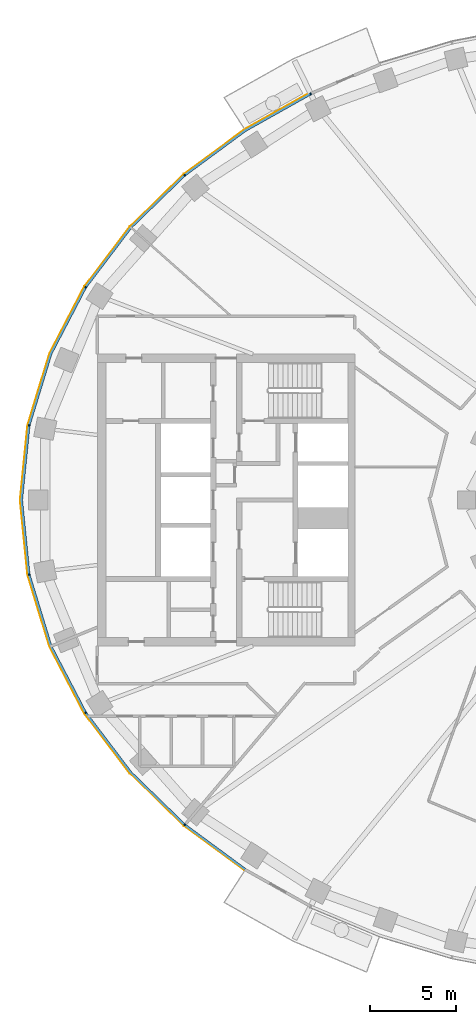
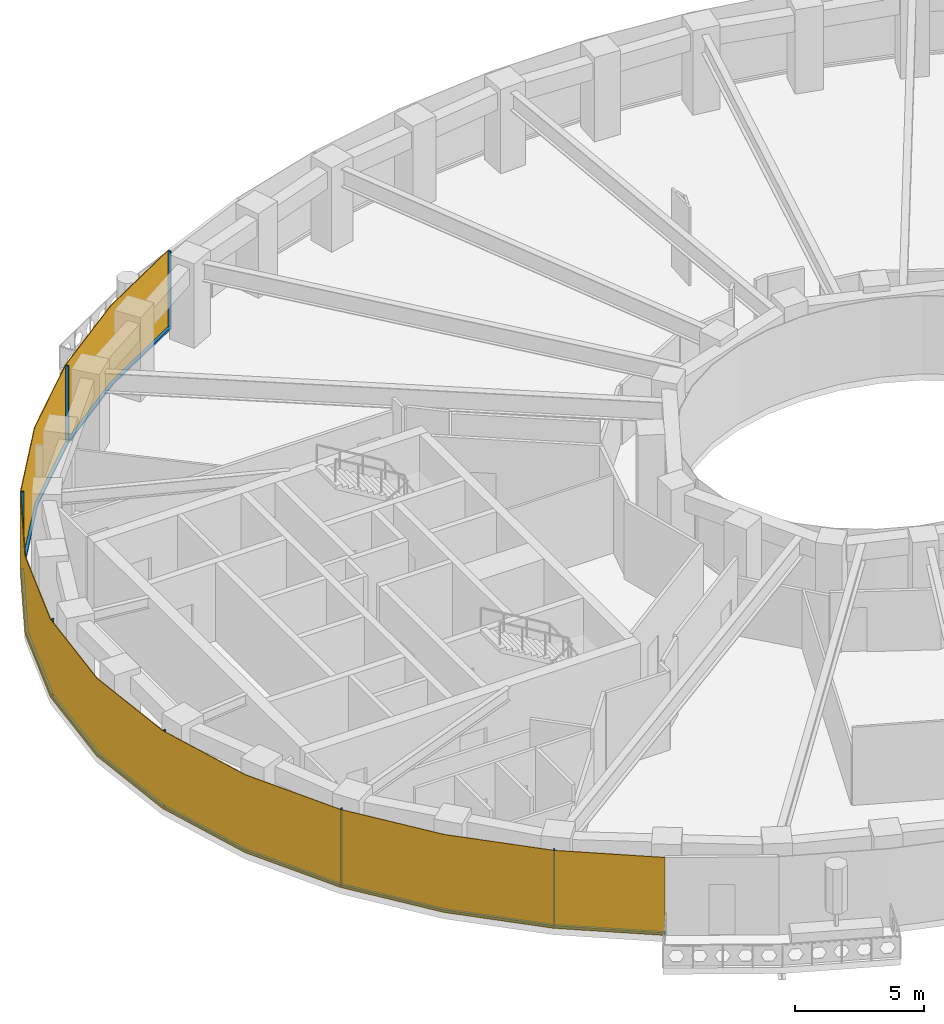
# One storey, part 8 of 15: 14 members, 1 curtain wall.
"""IFC4 building model written with IfcOpenShell, lengths in metres."""

from ifc_helpers import new_model, si_unit, direction, frame, origin, origin_2d, place, context, subcontext, project, spatial, polyline, rectangle, outline, extrude, material, layer, layer_set, material_profile, profile_set, type_object, element, aggregate, save


model = new_model("IFC4")

# Units and contexts
model_context = context("Model", 3, precision=1e-05, world=origin(), true_north=direction((0.0, 1.0)))
body_context = subcontext(model_context, "Body", "Model", "MODEL_VIEW")
ifc_project = project(units=[si_unit("LENGTHUNIT", "METRE"), si_unit("AREAUNIT", "SQUARE_METRE"), si_unit("VOLUMEUNIT", "CUBIC_METRE"), si_unit("PLANEANGLEUNIT", "RADIAN"), si_unit("MASSUNIT", "GRAM", prefix="KILO")], contexts=[model_context])

# Member
ifc_material_1 = material(Name="Aluminium 6063-T6 black anodised", Category="aluminium")
ifc_material_profile = material_profile(ifc_material_1, rectangle(XDim=0.1201171875, YDim=0.06005859375, at=origin_2d()), Name="120x60")
ifc_profile_set = profile_set([ifc_material_profile], Name="Aluminium 6063-T6 black anodised")
member_type_1 = type_object("IfcMemberType", Name="ENV-MULLION-A-120", PredefinedType="MULLION", material=ifc_profile_set)
site_placement = place(None, origin())
building_placement = place(site_placement, origin())
storey_placement = place(building_placement, frame((0.0, 0.0, 182.0)))
member_1_placement = place(storey_placement, frame((-19.06787109375, 23.6474609375, 0.0), z_axis=(0.0, 0.0, 1.0), x_axis=(0.439237769837, -0.898370848563, 0.0)))
member_1 = element("IfcMember", 1, at=member_1_placement, type_object=member_type_1, Name="Mullion A radial 17", PredefinedType="MULLION", context=body_context, shape_type="SweptSolid", body=[
    extrude(rectangle(XDim=0.1201171875, YDim=0.06005859375, at=origin_2d()), origin(), (0.0, 0.0, 1.0), 3.699951171875),
])

member_2_placement = place(storey_placement, frame((-26.403564453125, 18.9130859375, 0.0), z_axis=(0.0, 0.0, 1.0), x_axis=(0.646451313783, -0.762955240435, 0.0)))
member_2 = element("IfcMember", 2, at=member_2_placement, type_object=member_type_1, Name="Mullion A radial 19", PredefinedType="MULLION", context=body_context, shape_type="SweptSolid", body=[
    extrude(rectangle(XDim=0.1201171875, YDim=0.06005859375, at=origin_2d()), origin(), (0.0, 0.0, 1.0), 3.699951171875),
])

member_3_placement = place(storey_placement, frame((-32.177490234375, 12.385498046875, 0.0), z_axis=(0.0, 0.0, 1.0), x_axis=(0.844829880882, -0.53503501976, 0.0)))
member_3 = element("IfcMember", 3, at=member_3_placement, type_object=member_type_1, Name="Mullion A radial 21", PredefinedType="MULLION", context=body_context, shape_type="SweptSolid", body=[
    extrude(rectangle(XDim=0.1201171875, YDim=0.06005859375, at=origin_2d()), origin(), (0.0, 0.0, 1.0), 3.699951171875),
])

member_4_placement = place(storey_placement, frame((-35.470947265625, 4.340576171875, 0.0), z_axis=(0.0, 0.0, 1.0), x_axis=(0.980379083141, -0.19712141776, 0.0)))
member_4 = element("IfcMember", 4, at=member_4_placement, type_object=member_type_1, Name="Mullion A radial 23", PredefinedType="MULLION", context=body_context, shape_type="SweptSolid", body=[
    extrude(rectangle(XDim=0.1201171875, YDim=0.06005859375, at=origin_2d()), origin(), (0.0, 0.0, 1.0), 3.699951171875),
])

member_5_placement = place(storey_placement, frame((-35.470947265625, -4.340576171875, 0.0), z_axis=(0.0, 0.0, 1.0), x_axis=(0.980379083141, 0.19712141776, 0.0)))
member_5 = element("IfcMember", 5, at=member_5_placement, type_object=member_type_1, Name="Mullion A radial 25", PredefinedType="MULLION", context=body_context, shape_type="SweptSolid", body=[
    extrude(rectangle(XDim=0.1201171875, YDim=0.06005859375, at=origin_2d()), origin(), (0.0, 0.0, 1.0), 3.699951171875),
])

member_6_placement = place(storey_placement, frame((-32.177490234375, -12.385498046875, 0.0), z_axis=(0.0, 0.0, 1.0), x_axis=(0.844829880882, 0.53503501976, 0.0)))
member_6 = element("IfcMember", 6, at=member_6_placement, type_object=member_type_1, Name="Mullion A radial 27", PredefinedType="MULLION", context=body_context, shape_type="SweptSolid", body=[
    extrude(rectangle(XDim=0.1201171875, YDim=0.06005859375, at=origin_2d()), origin(), (0.0, 0.0, 1.0), 3.699951171875),
])

member_7_placement = place(storey_placement, frame((-26.403564453125, -18.9130859375, 0.0), z_axis=(0.0, 0.0, 1.0), x_axis=(0.646451313783, 0.762955240435, 0.0)))
member_7 = element("IfcMember", 7, at=member_7_placement, type_object=member_type_1, Name="Mullion A radial 29", PredefinedType="MULLION", context=body_context, shape_type="SweptSolid", body=[
    extrude(rectangle(XDim=0.1201171875, YDim=0.06005859375, at=origin_2d()), origin(), (0.0, 0.0, 1.0), 3.699951171875),
])

ifc_material_2 = material(Name="Aluminium 6063-T6 black anodised", Category="aluminium")
member_type_2 = type_object("IfcMemberType", Name="ENV-TRANSOM-A", PredefinedType="USERDEFINED", material=ifc_material_2)
member_8_placement = place(storey_placement, origin())
member_8 = element("IfcMember", 8, at=member_8_placement, type_object=member_type_2, Name="Transom A radial 17-19", ObjectType="TRANSOM", PredefinedType="USERDEFINED", context=body_context, shape_type="SweptSolid", body=[
    extrude(outline(polyline([(-19.11865234375, 23.687744140625), (-22.9150390625, 21.556884765625), (-26.419921875, 18.975341796875), (-26.342041015625, 18.883544921875), (-22.85009765625, 21.455810546875), (-19.06591796875, 23.57958984375), (-19.11865234375, 23.687744140625)])), origin(), (0.0, 0.0, 1.0), 0.10009765625),
])

member_9_placement = place(storey_placement, origin())
member_9 = element("IfcMember", 9, at=member_9_placement, type_object=member_type_2, Name="Transom A radial 19-21", ObjectType="TRANSOM", PredefinedType="USERDEFINED", context=body_context, shape_type="SweptSolid", body=[
    extrude(outline(polyline([(-26.46240234375, 18.939208984375), (-29.58349609375, 15.906982421875), (-32.211181640625, 12.43994140625), (-32.109375, 12.37548828125), (-29.493408203125, 15.8271484375), (-26.384765625, 18.847412109375), (-26.46240234375, 18.939208984375)])), origin(), (0.0, 0.0, 1.0), 0.10009765625),
])

member_10_placement = place(storey_placement, origin())
member_10 = element("IfcMember", 10, at=member_10_placement, type_object=member_type_2, Name="Transom A radial 21-23", ObjectType="TRANSOM", PredefinedType="USERDEFINED", context=body_context, shape_type="SweptSolid", body=[
    extrude(outline(polyline([(-32.240966796875, 12.392578125), (-34.251220703125, 8.53662109375), (-35.521484375, 4.379150390625), (-35.4033203125, 4.355224609375), (-34.139892578125, 8.490966796875), (-32.139404296875, 12.328369140625), (-32.240966796875, 12.392578125)])), origin(), (0.0, 0.0, 1.0), 0.10009765625),
])

member_11_placement = place(storey_placement, origin())
member_11 = element("IfcMember", 11, at=member_11_placement, type_object=member_type_2, Name="Transom A radial 23-25", ObjectType="TRANSOM", PredefinedType="USERDEFINED", context=body_context, shape_type="SweptSolid", body=[
    extrude(outline(polyline([(-35.532470703125, 4.324462890625), (-35.9677734375, 0.0), (-35.532470703125, -4.324462890625), (-35.414306640625, -4.30078125), (-35.84716796875, 0.0), (-35.414306640625, 4.30078125), (-35.532470703125, 4.324462890625)])), origin(), (0.0, 0.0, 1.0), 0.10009765625),
])

member_12_placement = place(storey_placement, origin())
member_12 = element("IfcMember", 12, at=member_12_placement, type_object=member_type_2, Name="Transom A radial 25-27", ObjectType="TRANSOM", PredefinedType="USERDEFINED", context=body_context, shape_type="SweptSolid", body=[
    extrude(outline(polyline([(-35.521484375, -4.379150390625), (-34.251220703125, -8.53662109375), (-32.240966796875, -12.392578125), (-32.139404296875, -12.328369140625), (-34.139892578125, -8.490966796875), (-35.4033203125, -4.355224609375), (-35.521484375, -4.379150390625)])), origin(), (0.0, 0.0, 1.0), 0.10009765625),
])

member_13_placement = place(storey_placement, origin())
member_13 = element("IfcMember", 13, at=member_13_placement, type_object=member_type_2, Name="Transom A radial 27-29", ObjectType="TRANSOM", PredefinedType="USERDEFINED", context=body_context, shape_type="SweptSolid", body=[
    extrude(outline(polyline([(-32.211181640625, -12.43994140625), (-29.58349609375, -15.906982421875), (-26.46240234375, -18.939208984375), (-26.384765625, -18.847412109375), (-29.493408203125, -15.8271484375), (-32.109375, -12.37548828125), (-32.211181640625, -12.43994140625)])), origin(), (0.0, 0.0, 1.0), 0.10009765625),
])

member_14_placement = place(storey_placement, origin())
member_14 = element("IfcMember", 14, at=member_14_placement, type_object=member_type_2, Name="Transom A radial 29-30", ObjectType="TRANSOM", PredefinedType="USERDEFINED", context=body_context, shape_type="SweptSolid", body=[
    extrude(outline(polyline([(-26.419921875, -18.975341796875), (-22.931396484375, -21.544921875), (-22.8662109375, -21.444091796875), (-26.342041015625, -18.883544921875), (-26.419921875, -18.975341796875)])), origin(), (0.0, 0.0, 1.0), 0.10009765625),
])

# Site, building, storey
site = spatial("IfcSite", under=ifc_project, at=site_placement, CompositionType="ELEMENT")
building = spatial("IfcBuilding", under=site, at=building_placement, Name="Noorbagh Ring Tower", CompositionType="ELEMENT")
storey = spatial("IfcBuildingStorey", under=building, at=storey_placement, Name="L42", CompositionType="ELEMENT", Elevation=182.0)

# Curtain wall
ifc_material_3 = material(Name="Glass dark tinted laminated", Category="glass")
ifc_layer = layer(ifc_material_3, 0.031982421875)
ifc_layer_set = layer_set([ifc_layer], Name="Glass dark tinted laminated")
curtain_wall_type = type_object("IfcCurtainWallType", Name="ENV-CW-A", PredefinedType="NOTDEFINED", material=ifc_layer_set)
curtain_wall_placement = place(storey_placement, origin())
curtain_wall = element("IfcCurtainWall", 15, at=curtain_wall_placement, inside=storey, type_object=curtain_wall_type, Name="Curtain wall A R17", PredefinedType="NOTDEFINED", context=body_context, shape_type="SweptSolid", body=[
    extrude(outline(polyline([(-19.125732421875, 23.720458984375), (-22.9326171875, 21.583740234375), (-26.463134765625, 18.9833984375), (-29.607666015625, 15.927978515625), (-32.255126953125, 12.434814453125), (-34.281005859375, 8.548828125), (-35.561279296875, 4.358642578125), (-36.0, 0.0), (-35.561279296875, -4.358642578125), (-34.281005859375, -8.548828125), (-32.255126953125, -12.434814453125), (-29.607666015625, -15.927978515625), (-26.463134765625, -18.9833984375), (-22.948486328125, -21.572021484375), (-22.931396484375, -21.544921875), (-26.4423828125, -18.958740234375), (-29.58349609375, -15.906982421875), (-32.22802734375, -12.41748046875), (-34.251220703125, -8.53662109375), (-35.529541015625, -4.352294921875), (-35.9677734375, 0.0), (-35.529541015625, 4.352294921875), (-34.251220703125, 8.53662109375), (-32.22802734375, 12.41748046875), (-29.58349609375, 15.906982421875), (-26.4423828125, 18.958740234375), (-22.9150390625, 21.556884765625), (-19.111572265625, 23.691650390625), (-19.125732421875, 23.720458984375)])), origin(), (0.0, 0.0, 1.0), 3.699951171875),
])

aggregate(curtain_wall, [member_1, member_2, member_3, member_4, member_5, member_6, member_7, member_8, member_9, member_10, member_11, member_12, member_13, member_14])

save(model, "model.ifc")
